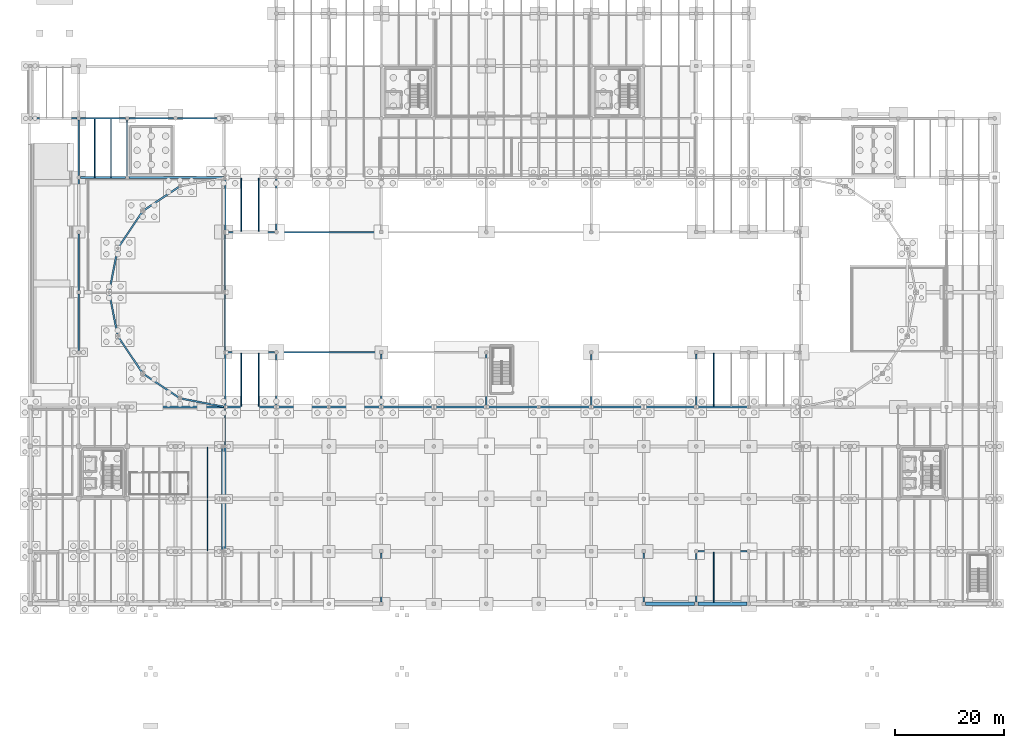
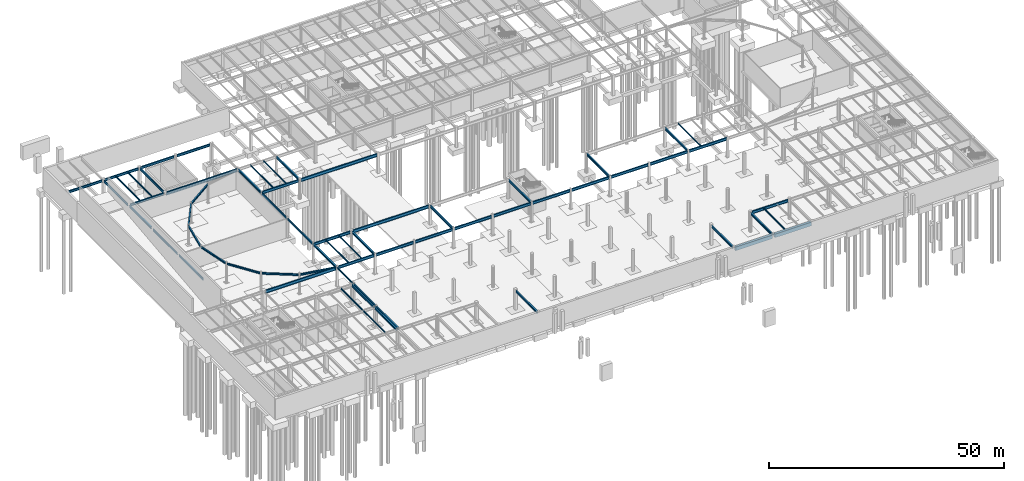
# One storey, part 32 of 50: 64 beams.
"""IFC4 building model written with IfcOpenShell, lengths in metres."""

from ifc_helpers import new_model, si_unit, direction, frame, origin, origin_2d, place, context, subcontext, project, spatial, rectangle, i_section, extrude, material, material_profile, profile_set, type_object, element, save


model = new_model("IFC4")

# Units and contexts
model_context = context("Model", 3, precision=1e-05, world=origin(), true_north=direction((0.0, 1.0)))
body_context = subcontext(model_context, "Body", "Model", "MODEL_VIEW")
ifc_project = project(units=[si_unit("LENGTHUNIT", "METRE"), si_unit("AREAUNIT", "SQUARE_METRE"), si_unit("VOLUMEUNIT", "CUBIC_METRE"), si_unit("PLANEANGLEUNIT", "RADIAN"), si_unit("MASSUNIT", "GRAM", prefix="KILO")], contexts=[model_context])

# Site, building, storey
site_placement = place(None, origin())
site = spatial("IfcSite", under=ifc_project, at=site_placement, CompositionType="ELEMENT")
building_placement = place(site_placement, origin())
building = spatial("IfcBuilding", under=site, at=building_placement, Name="Yeouljin Market Hall", CompositionType="ELEMENT")
storey_placement = place(building_placement, frame((0.0, 0.0, -5.39990234375)))
storey = spatial("IfcBuildingStorey", under=building, at=storey_placement, Name="B1", CompositionType="ELEMENT", Elevation=-5.39990234375)

# Beams
ifc_material_1 = material(Name="Steel SM355", Category="steel")
ifc_material_profile_1 = material_profile(ifc_material_1, i_section(OverallWidth=0.300048828125, OverallDepth=0.43994140625, WebThickness=0.010986328125, FlangeThickness=0.01806640625, FilletRadius=0.02001953125, at=origin_2d()), Name="H-440x300x11x18")
ifc_profile_set_1 = profile_set([ifc_material_profile_1], Name="Steel SM355")
beam_type_1 = type_object("IfcBeamType", Name="Beam_H-440x300x11x18", PredefinedType="BEAM", material=ifc_profile_set_1)
beam_1_placement = place(storey_placement, frame((35.419189453125, 36.042724609375, 4.8798828125), z_axis=(-0.981854876369, 0.189633862352, 0.0), x_axis=(-0.189633862352, -0.981854876369, 0.0)))
element("IfcBeam", 1, at=beam_1_placement, inside=storey, type_object=beam_type_1, Name="Apse ring beam L00 268", PredefinedType="BEAM", context=body_context, shape_type="SweptSolid", body=[
    extrude(i_section(OverallWidth=0.300048828125, OverallDepth=0.43994140625, WebThickness=0.010986328125, FlangeThickness=0.01806640625, FilletRadius=0.02001953125, at=origin_2d()), origin(), (0.0, 0.0, 1.0), 8.00146484375),
])
for number, where, z_axis, x_axis, name in (
    (2, (27.194580078125, 37.71142578125, 4.8798828125), (-0.831466218431, 0.555575312274, 0.0), (-0.555575312274, -0.831466218431, 0.0), "Apse ring beam L00 269"),
    (3, (20.43798828125, 42.31982421875, 4.8798828125), (-0.55559698595, 0.831451735943, 0.0), (-0.831451735943, -0.55559698595, 0.0), "Apse ring beam L00 270"),
):
    element("IfcBeam", number, at=place(storey_placement, frame(where, z_axis=z_axis, x_axis=x_axis)), inside=storey, type_object=beam_type_1, Name=name, PredefinedType="BEAM", context=body_context, shape_type="SweptSolid", body=[
        extrude(i_section(OverallWidth=0.300048828125, OverallDepth=0.43994140625, WebThickness=0.010986328125, FlangeThickness=0.01806640625, FilletRadius=0.02001953125, at=origin_2d()), origin(), (0.0, 0.0, 1.0), 7.787353515625),
    ])
for number, where, z_axis, x_axis, name in (
    (4, (15.958984375, 49.162841796875, 4.8798828125), (-0.195091123781, 0.980785120922, 0.0), (-0.980785120922, -0.195091123781, 0.0), "Apse ring beam L00 271"),
    (5, (14.439697265625, 57.19921875, 4.8798828125), (0.195091123781, 0.980785120922, 0.0), (-0.980785120922, 0.195091123781, 0.0), "Apse ring beam L00 272"),
):
    element("IfcBeam", number, at=place(storey_placement, frame(where, z_axis=z_axis, x_axis=x_axis)), inside=storey, type_object=beam_type_1, Name=name, PredefinedType="BEAM", context=body_context, shape_type="SweptSolid", body=[
        extrude(i_section(OverallWidth=0.300048828125, OverallDepth=0.43994140625, WebThickness=0.010986328125, FlangeThickness=0.01806640625, FilletRadius=0.02001953125, at=origin_2d()), origin(), (0.0, 0.0, 1.0), 7.78759765625),
    ])
for number, where, z_axis, x_axis, name in (
    (6, (16.111328125, 65.205322265625, 4.8798828125), (0.55559698595, 0.831451735943, 0.0), (-0.831451735943, 0.55559698595, 0.0), "Apse ring beam L00 273"),
    (7, (20.7197265625, 71.962158203125, 4.8798828125), (0.831466218431, 0.555575312274, 0.0), (-0.555575312274, 0.831466218431, 0.0), "Apse ring beam L00 274"),
):
    element("IfcBeam", number, at=place(storey_placement, frame(where, z_axis=z_axis, x_axis=x_axis)), inside=storey, type_object=beam_type_1, Name=name, PredefinedType="BEAM", context=body_context, shape_type="SweptSolid", body=[
        extrude(i_section(OverallWidth=0.300048828125, OverallDepth=0.43994140625, WebThickness=0.010986328125, FlangeThickness=0.01806640625, FilletRadius=0.02001953125, at=origin_2d()), origin(), (0.0, 0.0, 1.0), 7.787353515625),
    ])
ifc_material_2 = material(Name="Steel SM355", Category="steel")
ifc_material_profile_2 = material_profile(ifc_material_2, i_section(OverallWidth=0.199951171875, OverallDepth=0.449951171875, WebThickness=0.009033203125, FlangeThickness=0.013916015625, FilletRadius=0.01806640625, at=origin_2d()), Name="H-450x200x9x14")
ifc_profile_set_2 = profile_set([ifc_material_profile_2], Name="Steel SM355")
beam_type_2 = type_object("IfcBeamType", Name="Beam_H-450x200x9x14", PredefinedType="BEAM", material=ifc_profile_set_2)
beam_2_placement = place(storey_placement, frame((35.614990234375, 28.97509765625, 4.875), z_axis=(0.0, 1.0, 0.0), x_axis=(-1.0, 0.0, 0.0)))
element("IfcBeam", 8, at=beam_2_placement, inside=storey, type_object=beam_type_2, Name="Primary beam BM-L00-Y166", PredefinedType="BEAM", context=body_context, shape_type="SweptSolid", body=[
    extrude(i_section(OverallWidth=0.199951171875, OverallDepth=0.449951171875, WebThickness=0.009033203125, FlangeThickness=0.013916015625, FilletRadius=0.01806640625, at=origin_2d()), origin(), (0.0, 0.0, 1.0), 6.7998046875),
])
ifc_material_3 = material(Name="Steel SM355", Category="steel")
ifc_material_profile_3 = material_profile(ifc_material_3, i_section(OverallWidth=0.199951171875, OverallDepth=0.60009765625, WebThickness=0.010986328125, FlangeThickness=0.01708984375, FilletRadius=0.02197265625, at=origin_2d()), Name="H-600x200x11x17")
ifc_profile_set_3 = profile_set([ifc_material_profile_3], Name="Steel SM355")
beam_type_3 = type_object("IfcBeamType", Name="Beam_H-600x200x11x17", PredefinedType="BEAM", material=ifc_profile_set_3)
for number, where, z_axis, x_axis, name in (
    (9, (8.85009765625, 46.35009765625, 4.849853515625), (0.0, 1.0, 0.0), (-1.0, 0.0, 0.0), "Primary beam BM-L00-Y147"),
    (10, (8.85009765625, 57.300048828125, 4.849853515625), (0.0, 1.0, 0.0), (-1.0, 0.0, 0.0), "Primary beam BM-L00-Y148"),
):
    element("IfcBeam", number, at=place(storey_placement, frame(where, z_axis=z_axis, x_axis=x_axis)), inside=storey, type_object=beam_type_3, Name=name, PredefinedType="BEAM", context=body_context, shape_type="SweptSolid", body=[
        extrude(i_section(OverallWidth=0.199951171875, OverallDepth=0.60009765625, WebThickness=0.010986328125, FlangeThickness=0.01708984375, FilletRadius=0.02197265625, at=origin_2d()), origin(), (0.0, 0.0, 1.0), 10.349853515625),
    ])
beam_3_placement = place(storey_placement, frame((8.85009765625, 78.35009765625, 4.77978515625), z_axis=(0.0, 1.0, 0.0), x_axis=(-1.0, 0.0, 0.0)))
element("IfcBeam", 11, at=beam_3_placement, inside=storey, type_object=beam_type_3, Name="Primary beam BM-L00-Y150", PredefinedType="BEAM", context=body_context, shape_type="SweptSolid", body=[
    extrude(i_section(OverallWidth=0.199951171875, OverallDepth=0.60009765625, WebThickness=0.010986328125, FlangeThickness=0.01708984375, FilletRadius=0.02197265625, at=origin_2d()), origin(), (0.0, 0.0, 1.0), 10.14990234375),
])
beam_4_placement = place(storey_placement, frame((17.699951171875, 78.300048828125, 4.849853515625), z_axis=(0.0, 1.0, 0.0), x_axis=(-1.0, 0.0, 0.0)))
element("IfcBeam", 12, at=beam_4_placement, inside=storey, type_object=beam_type_3, Name="Primary beam BM-L00-Y156", PredefinedType="BEAM", context=body_context, shape_type="SweptSolid", body=[
    extrude(i_section(OverallWidth=0.199951171875, OverallDepth=0.60009765625, WebThickness=0.010986328125, FlangeThickness=0.01708984375, FilletRadius=0.02197265625, at=origin_2d()), origin(), (0.0, 0.0, 1.0), 10.199951171875),
])
for number, where, z_axis, x_axis, name in (
    (13, (35.590087890625, 46.175048828125, 4.7998046875), (0.0, 1.0, 0.0), (-1.0, 0.0, 0.0), "Primary beam BM-L00-Y168"),
    (14, (35.590087890625, 57.175048828125, 4.7998046875), (0.0, 1.0, 0.0), (-1.0, 0.0, 0.0), "Primary beam BM-L00-Y169"),
):
    element("IfcBeam", number, at=place(storey_placement, frame(where, z_axis=z_axis, x_axis=x_axis)), inside=storey, type_object=beam_type_3, Name=name, PredefinedType="BEAM", context=body_context, shape_type="SweptSolid", body=[
        extrude(i_section(OverallWidth=0.199951171875, OverallDepth=0.60009765625, WebThickness=0.010986328125, FlangeThickness=0.01708984375, FilletRadius=0.02197265625, at=origin_2d()), origin(), (0.0, 0.0, 1.0), 10.64990234375),
    ])
ifc_material_4 = material(Name="Steel SM355", Category="steel")
ifc_material_profile_4 = material_profile(ifc_material_4, i_section(OverallWidth=0.300048828125, OverallDepth=0.587890625, WebThickness=0.011962890625, FlangeThickness=0.02001953125, FilletRadius=0.02392578125, at=origin_2d()), Name="H-588x300x12x20")
ifc_profile_set_4 = profile_set([ifc_material_profile_4], Name="Steel SM355")
beam_type_4 = type_object("IfcBeamType", Name="Girder_H-588x300x12x20", PredefinedType="USERDEFINED", material=ifc_profile_set_4)
for number, where, z_axis, x_axis, name in (
    (15, (9.199951171875, 78.0, 4.85595703125), (1.0, 0.0, 0.0), (0.0, 1.0, 0.0), "Primary girder GRD-L00-X076"),
    (16, (0.35009765625, 88.800048828125, 4.785888671875), (1.0, 0.0, 0.0), (0.0, 1.0, 0.0), "Primary girder GRD-L00-X092"),
):
    element("IfcBeam", number, at=place(storey_placement, frame(where, z_axis=z_axis, x_axis=x_axis)), inside=storey, type_object=beam_type_4, Name=name, ObjectType="GIRDER", PredefinedType="USERDEFINED", context=body_context, shape_type="SweptSolid", body=[
        extrude(i_section(OverallWidth=0.300048828125, OverallDepth=0.587890625, WebThickness=0.011962890625, FlangeThickness=0.02001953125, FilletRadius=0.02392578125, at=origin_2d()), origin(), (0.0, 0.0, 1.0), 8.199951171875),
    ])
beam_5_placement = place(storey_placement, frame((9.14990234375, 88.800048828125, 4.785888671875), z_axis=(1.0, 0.0, 0.0), x_axis=(0.0, 1.0, 0.0)))
element("IfcBeam", 17, at=beam_5_placement, inside=storey, type_object=beam_type_4, Name="Primary girder GRD-L00-X093", ObjectType="GIRDER", PredefinedType="USERDEFINED", context=body_context, shape_type="SweptSolid", body=[
    extrude(i_section(OverallWidth=0.300048828125, OverallDepth=0.587890625, WebThickness=0.011962890625, FlangeThickness=0.02001953125, FilletRadius=0.02392578125, at=origin_2d()), origin(), (0.0, 0.0, 1.0), 8.25),
])
beam_6_placement = place(storey_placement, frame((18.0, 88.800048828125, 4.85595703125), z_axis=(1.0, 0.0, 0.0), x_axis=(0.0, 1.0, 0.0)))
element("IfcBeam", 18, at=beam_6_placement, inside=storey, type_object=beam_type_4, Name="Primary girder GRD-L00-X094", ObjectType="GIRDER", PredefinedType="USERDEFINED", context=body_context, shape_type="SweptSolid", body=[
    extrude(i_section(OverallWidth=0.300048828125, OverallDepth=0.587890625, WebThickness=0.011962890625, FlangeThickness=0.02001953125, FilletRadius=0.02392578125, at=origin_2d()), origin(), (0.0, 0.0, 1.0), 8.199951171875),
])
beam_7_placement = place(storey_placement, frame((26.89990234375, 88.800048828125, 4.85595703125), z_axis=(1.0, 0.0, 0.0), x_axis=(0.0, 1.0, 0.0)))
element("IfcBeam", 19, at=beam_7_placement, inside=storey, type_object=beam_type_4, Name="Primary girder GRD-L00-X095", ObjectType="GIRDER", PredefinedType="USERDEFINED", context=body_context, shape_type="SweptSolid", body=[
    extrude(i_section(OverallWidth=0.300048828125, OverallDepth=0.587890625, WebThickness=0.011962890625, FlangeThickness=0.02001953125, FilletRadius=0.02392578125, at=origin_2d()), origin(), (0.0, 0.0, 1.0), 8.05517578125),
])
beam_8_placement = place(storey_placement, frame((8.85009765625, 68.35009765625, 4.85595703125), z_axis=(0.0, 1.0, 0.0), x_axis=(-1.0, 0.0, 0.0)))
element("IfcBeam", 20, at=beam_8_placement, inside=storey, type_object=beam_type_4, Name="Primary beam BM-L00-Y149", ObjectType="GIRDER", PredefinedType="USERDEFINED", context=body_context, shape_type="SweptSolid", body=[
    extrude(i_section(OverallWidth=0.300048828125, OverallDepth=0.587890625, WebThickness=0.011962890625, FlangeThickness=0.02001953125, FilletRadius=0.02392578125, at=origin_2d()), origin(), (0.0, 0.0, 1.0), 9.2998046875),
])
for number, where, z_axis, x_axis, name in (
    (21, (35.1298828125, 9.77490234375, 4.85595703125), (0.0, 1.0, 0.0), (-1.0, 0.0, 0.0), "Primary beam BM-L00-Y161"),
    (22, (35.1298828125, 19.375, 4.85595703125), (0.0, 1.0, 0.0), (-1.0, 0.0, 0.0), "Primary beam BM-L00-Y162"),
    (23, (35.590087890625, 9.77490234375, 4.85595703125), (0.0, 1.0, 0.0), (-1.0, 0.0, 0.0), "Primary beam BM-L00-Y164"),
    (24, (35.590087890625, 19.375, 4.85595703125), (0.0, 1.0, 0.0), (-1.0, 0.0, 0.0), "Primary beam BM-L00-Y165"),
):
    element("IfcBeam", number, at=place(storey_placement, frame(where, z_axis=z_axis, x_axis=x_axis)), inside=storey, type_object=beam_type_4, Name=name, ObjectType="GIRDER", PredefinedType="USERDEFINED", context=body_context, shape_type="SweptSolid", body=[
        extrude(i_section(OverallWidth=0.300048828125, OverallDepth=0.587890625, WebThickness=0.011962890625, FlangeThickness=0.02001953125, FilletRadius=0.02392578125, at=origin_2d()), origin(), (0.0, 0.0, 1.0), 9.25),
    ])
for number, where, z_axis, x_axis, name in (
    (25, (35.614990234375, 36.22509765625, 4.805908203125), (0.0, 1.0, 0.0), (-1.0, 0.0, 0.0), "Primary beam BM-L00-Y167"),
    (26, (35.614990234375, 68.175048828125, 4.805908203125), (0.0, 1.0, 0.0), (-1.0, 0.0, 0.0), "Primary beam BM-L00-Y170"),
):
    element("IfcBeam", number, at=place(storey_placement, frame(where, z_axis=z_axis, x_axis=x_axis)), inside=storey, type_object=beam_type_4, Name=name, ObjectType="GIRDER", PredefinedType="USERDEFINED", context=body_context, shape_type="SweptSolid", body=[
        extrude(i_section(OverallWidth=0.300048828125, OverallDepth=0.587890625, WebThickness=0.011962890625, FlangeThickness=0.02001953125, FilletRadius=0.02392578125, at=origin_2d()), origin(), (0.0, 0.0, 1.0), 9.599853515625),
    ])
for number, where, z_axis, x_axis, name in (
    (27, (45.0, 36.22509765625, 4.825927734375), (0.0, 1.0, 0.0), (-1.0, 0.0, 0.0), "Primary beam BM-L00-Y173"),
    (28, (45.0, 68.35009765625, 4.81591796875), (0.0, 1.0, 0.0), (-1.0, 0.0, 0.0), "Primary beam BM-L00-Y174"),
):
    element("IfcBeam", number, at=place(storey_placement, frame(where, z_axis=z_axis, x_axis=x_axis)), inside=storey, type_object=beam_type_4, Name=name, ObjectType="GIRDER", PredefinedType="USERDEFINED", context=body_context, shape_type="SweptSolid", body=[
        extrude(i_section(OverallWidth=0.300048828125, OverallDepth=0.587890625, WebThickness=0.011962890625, FlangeThickness=0.02001953125, FilletRadius=0.02392578125, at=origin_2d()), origin(), (0.0, 0.0, 1.0), 9.4248046875),
    ])
beam_9_placement = place(storey_placement, frame((64.199951171875, 0.300048828125, 4.865966796875), z_axis=(0.0, 1.0, 0.0), x_axis=(-1.0, 0.0, 0.0)))
element("IfcBeam", 29, at=beam_9_placement, inside=storey, type_object=beam_type_4, Name="Primary beam BM-L00-Y184", ObjectType="GIRDER", PredefinedType="USERDEFINED", context=body_context, shape_type="SweptSolid", body=[
    extrude(i_section(OverallWidth=0.300048828125, OverallDepth=0.587890625, WebThickness=0.011962890625, FlangeThickness=0.02001953125, FilletRadius=0.02392578125, at=origin_2d()), origin(), (0.0, 0.0, 1.0), 9.0),
])
beam_10_placement = place(storey_placement, frame((64.199951171875, 36.22509765625, 4.825927734375), z_axis=(0.0, 1.0, 0.0), x_axis=(-1.0, 0.0, 0.0)))
element("IfcBeam", 30, at=beam_10_placement, inside=storey, type_object=beam_type_4, Name="Primary beam BM-L00-Y185", ObjectType="GIRDER", PredefinedType="USERDEFINED", context=body_context, shape_type="SweptSolid", body=[
    extrude(i_section(OverallWidth=0.300048828125, OverallDepth=0.587890625, WebThickness=0.011962890625, FlangeThickness=0.02001953125, FilletRadius=0.02392578125, at=origin_2d()), origin(), (0.0, 0.0, 1.0), 9.474853515625),
])
for number, where, z_axis, x_axis, name in (
    (31, (83.39990234375, 36.22509765625, 4.825927734375), (0.0, 1.0, 0.0), (-1.0, 0.0, 0.0), "Primary beam BM-L00-Y195"),
    (32, (102.60009765625, 36.22509765625, 4.825927734375), (0.0, 1.0, 0.0), (-1.0, 0.0, 0.0), "Primary beam BM-L00-Y205"),
):
    element("IfcBeam", number, at=place(storey_placement, frame(where, z_axis=z_axis, x_axis=x_axis)), inside=storey, type_object=beam_type_4, Name=name, ObjectType="GIRDER", PredefinedType="USERDEFINED", context=body_context, shape_type="SweptSolid", body=[
        extrude(i_section(OverallWidth=0.300048828125, OverallDepth=0.587890625, WebThickness=0.011962890625, FlangeThickness=0.02001953125, FilletRadius=0.02392578125, at=origin_2d()), origin(), (0.0, 0.0, 1.0), 9.4248046875),
    ])
beam_11_placement = place(storey_placement, frame((112.199951171875, 0.300048828125, 4.865966796875), z_axis=(0.0, 1.0, 0.0), x_axis=(-1.0, 0.0, 0.0)))
element("IfcBeam", 33, at=beam_11_placement, inside=storey, type_object=beam_type_4, Name="Primary beam BM-L00-Y211", ObjectType="GIRDER", PredefinedType="USERDEFINED", context=body_context, shape_type="SweptSolid", body=[
    extrude(i_section(OverallWidth=0.300048828125, OverallDepth=0.587890625, WebThickness=0.011962890625, FlangeThickness=0.02001953125, FilletRadius=0.02392578125, at=origin_2d()), origin(), (0.0, 0.0, 1.0), 9.0),
])
beam_12_placement = place(storey_placement, frame((121.800048828125, 0.300048828125, 4.865966796875), z_axis=(0.0, 1.0, 0.0), x_axis=(-1.0, 0.0, 0.0)))
element("IfcBeam", 34, at=beam_12_placement, inside=storey, type_object=beam_type_4, Name="Primary beam BM-L00-Y216", ObjectType="GIRDER", PredefinedType="USERDEFINED", context=body_context, shape_type="SweptSolid", body=[
    extrude(i_section(OverallWidth=0.300048828125, OverallDepth=0.587890625, WebThickness=0.011962890625, FlangeThickness=0.02001953125, FilletRadius=0.02392578125, at=origin_2d()), origin(), (0.0, 0.0, 1.0), 8.949951171875),
])
beam_13_placement = place(storey_placement, frame((121.800048828125, 36.22509765625, 4.825927734375), z_axis=(0.0, 1.0, 0.0), x_axis=(-1.0, 0.0, 0.0)))
element("IfcBeam", 35, at=beam_13_placement, inside=storey, type_object=beam_type_4, Name="Primary beam BM-L00-Y217", ObjectType="GIRDER", PredefinedType="USERDEFINED", context=body_context, shape_type="SweptSolid", body=[
    extrude(i_section(OverallWidth=0.300048828125, OverallDepth=0.587890625, WebThickness=0.011962890625, FlangeThickness=0.02001953125, FilletRadius=0.02392578125, at=origin_2d()), origin(), (0.0, 0.0, 1.0), 9.474853515625),
])
ifc_material_5 = material(Name="Steel SM355", Category="steel")
ifc_material_profile_5 = material_profile(ifc_material_5, i_section(OverallWidth=0.300048828125, OverallDepth=0.699951171875, WebThickness=0.012939453125, FlangeThickness=0.02392578125, FilletRadius=0.02587890625, at=origin_2d()), Name="H-700x300x13x24")
ifc_profile_set_5 = profile_set([ifc_material_profile_5], Name="Steel SM355")
beam_type_5 = type_object("IfcBeamType", Name="Girder_H-700x300x13x24", PredefinedType="USERDEFINED", material=ifc_profile_set_5)
beam_14_placement = place(storey_placement, frame((122.14990234375, 9.60009765625, 4.809814453125), z_axis=(1.0, 0.0, 0.0), x_axis=(0.0, 1.0, 0.0)))
element("IfcBeam", 36, at=beam_14_placement, inside=storey, type_object=beam_type_5, Name="Primary girder GRD-L00-X021", ObjectType="GIRDER", PredefinedType="USERDEFINED", context=body_context, shape_type="SweptSolid", body=[
    extrude(i_section(OverallWidth=0.300048828125, OverallDepth=0.699951171875, WebThickness=0.012939453125, FlangeThickness=0.02392578125, FilletRadius=0.02587890625, at=origin_2d()), origin(), (0.0, 0.0, 1.0), 8.900146484375),
])
beam_15_placement = place(storey_placement, frame((35.864990234375, 36.0, 4.77001953125), z_axis=(1.0, 0.0, 0.0), x_axis=(0.0, 1.0, 0.0)))
element("IfcBeam", 37, at=beam_15_placement, inside=storey, type_object=beam_type_5, Name="Primary girder GRD-L00-X046", ObjectType="GIRDER", PredefinedType="USERDEFINED", context=body_context, shape_type="SweptSolid", body=[
    extrude(i_section(OverallWidth=0.300048828125, OverallDepth=0.699951171875, WebThickness=0.012939453125, FlangeThickness=0.02392578125, FilletRadius=0.02587890625, at=origin_2d()), origin(), (0.0, 0.0, 1.0), 8.909912109375),
])
beam_16_placement = place(storey_placement, frame((45.22509765625, 36.0, 4.77001953125), z_axis=(1.0, 0.0, 0.0), x_axis=(0.0, 1.0, 0.0)))
element("IfcBeam", 38, at=beam_16_placement, inside=storey, type_object=beam_type_5, Name="Primary girder GRD-L00-X047", ObjectType="GIRDER", PredefinedType="USERDEFINED", context=body_context, shape_type="SweptSolid", body=[
    extrude(i_section(OverallWidth=0.300048828125, OverallDepth=0.699951171875, WebThickness=0.012939453125, FlangeThickness=0.02392578125, FilletRadius=0.02587890625, at=origin_2d()), origin(), (0.0, 0.0, 1.0), 9.14990234375),
])
beam_17_placement = place(storey_placement, frame((54.824951171875, 36.0, 4.77001953125), z_axis=(1.0, 0.0, 0.0), x_axis=(0.0, 1.0, 0.0)))
element("IfcBeam", 39, at=beam_17_placement, inside=storey, type_object=beam_type_5, Name="Primary girder GRD-L00-X048", ObjectType="GIRDER", PredefinedType="USERDEFINED", context=body_context, shape_type="SweptSolid", body=[
    extrude(i_section(OverallWidth=0.300048828125, OverallDepth=0.699951171875, WebThickness=0.012939453125, FlangeThickness=0.02392578125, FilletRadius=0.02587890625, at=origin_2d()), origin(), (0.0, 0.0, 1.0), 9.150146484375),
])
beam_18_placement = place(storey_placement, frame((64.425048828125, 36.0, 4.77001953125), z_axis=(1.0, 0.0, 0.0), x_axis=(0.0, 1.0, 0.0)))
element("IfcBeam", 40, at=beam_18_placement, inside=storey, type_object=beam_type_5, Name="Primary girder GRD-L00-X049", ObjectType="GIRDER", PredefinedType="USERDEFINED", context=body_context, shape_type="SweptSolid", body=[
    extrude(i_section(OverallWidth=0.300048828125, OverallDepth=0.699951171875, WebThickness=0.012939453125, FlangeThickness=0.02392578125, FilletRadius=0.02587890625, at=origin_2d()), origin(), (0.0, 0.0, 1.0), 9.14990234375),
])
beam_19_placement = place(storey_placement, frame((74.02490234375, 36.0, 4.77001953125), z_axis=(1.0, 0.0, 0.0), x_axis=(0.0, 1.0, 0.0)))
element("IfcBeam", 41, at=beam_19_placement, inside=storey, type_object=beam_type_5, Name="Primary girder GRD-L00-X050", ObjectType="GIRDER", PredefinedType="USERDEFINED", context=body_context, shape_type="SweptSolid", body=[
    extrude(i_section(OverallWidth=0.300048828125, OverallDepth=0.699951171875, WebThickness=0.012939453125, FlangeThickness=0.02392578125, FilletRadius=0.02587890625, at=origin_2d()), origin(), (0.0, 0.0, 1.0), 9.150146484375),
])
for number, where, z_axis, x_axis, name in (
    (42, (83.625, 36.0, 4.77001953125), (1.0, 0.0, 0.0), (0.0, 1.0, 0.0), "Primary girder GRD-L00-X051"),
    (43, (93.22509765625, 36.0, 4.77001953125), (1.0, 0.0, 0.0), (0.0, 1.0, 0.0), "Primary girder GRD-L00-X052"),
):
    element("IfcBeam", number, at=place(storey_placement, frame(where, z_axis=z_axis, x_axis=x_axis)), inside=storey, type_object=beam_type_5, Name=name, ObjectType="GIRDER", PredefinedType="USERDEFINED", context=body_context, shape_type="SweptSolid", body=[
        extrude(i_section(OverallWidth=0.300048828125, OverallDepth=0.699951171875, WebThickness=0.012939453125, FlangeThickness=0.02392578125, FilletRadius=0.02587890625, at=origin_2d()), origin(), (0.0, 0.0, 1.0), 9.14990234375),
    ])
beam_20_placement = place(storey_placement, frame((102.824951171875, 36.0, 4.77001953125), z_axis=(1.0, 0.0, 0.0), x_axis=(0.0, 1.0, 0.0)))
element("IfcBeam", 44, at=beam_20_placement, inside=storey, type_object=beam_type_5, Name="Primary girder GRD-L00-X053", ObjectType="GIRDER", PredefinedType="USERDEFINED", context=body_context, shape_type="SweptSolid", body=[
    extrude(i_section(OverallWidth=0.300048828125, OverallDepth=0.699951171875, WebThickness=0.012939453125, FlangeThickness=0.02392578125, FilletRadius=0.02587890625, at=origin_2d()), origin(), (0.0, 0.0, 1.0), 9.150146484375),
])
beam_21_placement = place(storey_placement, frame((112.425048828125, 36.0, 4.77001953125), z_axis=(1.0, 0.0, 0.0), x_axis=(0.0, 1.0, 0.0)))
element("IfcBeam", 45, at=beam_21_placement, inside=storey, type_object=beam_type_5, Name="Primary girder GRD-L00-X054", ObjectType="GIRDER", PredefinedType="USERDEFINED", context=body_context, shape_type="SweptSolid", body=[
    extrude(i_section(OverallWidth=0.300048828125, OverallDepth=0.699951171875, WebThickness=0.012939453125, FlangeThickness=0.02392578125, FilletRadius=0.02587890625, at=origin_2d()), origin(), (0.0, 0.0, 1.0), 9.14990234375),
])
beam_22_placement = place(storey_placement, frame((122.02490234375, 36.0, 4.77001953125), z_axis=(1.0, 0.0, 0.0), x_axis=(0.0, 1.0, 0.0)))
element("IfcBeam", 46, at=beam_22_placement, inside=storey, type_object=beam_type_5, Name="Primary girder GRD-L00-X055", ObjectType="GIRDER", PredefinedType="USERDEFINED", context=body_context, shape_type="SweptSolid", body=[
    extrude(i_section(OverallWidth=0.300048828125, OverallDepth=0.699951171875, WebThickness=0.012939453125, FlangeThickness=0.02392578125, FilletRadius=0.02587890625, at=origin_2d()), origin(), (0.0, 0.0, 1.0), 9.150146484375),
])
for number, where, z_axis, x_axis, name in (
    (47, (35.764892578125, 46.0, 4.77001953125), (1.0, 0.0, 0.0), (0.0, 1.0, 0.0), "Primary girder GRD-L00-X060"),
    (48, (35.764892578125, 68.0, 4.77001953125), (1.0, 0.0, 0.0), (0.0, 1.0, 0.0), "Primary girder GRD-L00-X068"),
):
    element("IfcBeam", number, at=place(storey_placement, frame(where, z_axis=z_axis, x_axis=x_axis)), inside=storey, type_object=beam_type_5, Name=name, ObjectType="GIRDER", PredefinedType="USERDEFINED", context=body_context, shape_type="SweptSolid", body=[
        extrude(i_section(OverallWidth=0.300048828125, OverallDepth=0.699951171875, WebThickness=0.012939453125, FlangeThickness=0.02392578125, FilletRadius=0.02587890625, at=origin_2d()), origin(), (0.0, 0.0, 1.0), 8.885009765625),
    ])
ifc_material_6 = material(Name="Steel SM355", Category="steel")
ifc_material_profile_6 = material_profile(ifc_material_6, i_section(OverallWidth=0.300048828125, OverallDepth=0.800048828125, WebThickness=0.013916015625, FlangeThickness=0.02587890625, FilletRadius=0.028076171875, at=origin_2d()), Name="H-800x300x14x26")
ifc_profile_set_6 = profile_set([ifc_material_profile_6], Name="Steel SM355")
beam_type_6 = type_object("IfcBeamType", Name="Girder_H-800x300x14x26", PredefinedType="USERDEFINED", material=ifc_profile_set_6)
beam_23_placement = place(storey_placement, frame((18.10009765625, 36.0, 4.699951171875), z_axis=(1.0, 0.0, 0.0), x_axis=(0.0, 1.0, 0.0)))
element("IfcBeam", 49, at=beam_23_placement, inside=storey, type_object=beam_type_6, Name="Primary girder GRD-L00-X045", ObjectType="GIRDER", PredefinedType="USERDEFINED", context=body_context, shape_type="SweptSolid", body=[
    extrude(i_section(OverallWidth=0.300048828125, OverallDepth=0.800048828125, WebThickness=0.013916015625, FlangeThickness=0.02587890625, FilletRadius=0.028076171875, at=origin_2d()), origin(), (0.0, 0.0, 1.0), 17.31494140625),
])
for number, where, z_axis, x_axis, name in (
    (50, (45.35009765625, 46.0, 4.719970703125), (1.0, 0.0, 0.0), (0.0, 1.0, 0.0), "Primary girder GRD-L00-X061"),
    (51, (45.35009765625, 68.0, 4.7099609375), (1.0, 0.0, 0.0), (0.0, 1.0, 0.0), "Primary girder GRD-L00-X069"),
):
    element("IfcBeam", number, at=place(storey_placement, frame(where, z_axis=z_axis, x_axis=x_axis)), inside=storey, type_object=beam_type_6, Name=name, ObjectType="GIRDER", PredefinedType="USERDEFINED", context=body_context, shape_type="SweptSolid", body=[
        extrude(i_section(OverallWidth=0.300048828125, OverallDepth=0.800048828125, WebThickness=0.013916015625, FlangeThickness=0.02587890625, FilletRadius=0.028076171875, at=origin_2d()), origin(), (0.0, 0.0, 1.0), 18.5498046875),
    ])
beam_24_placement = place(storey_placement, frame((18.0, 78.0, 4.699951171875), z_axis=(1.0, 0.0, 0.0), x_axis=(0.0, 1.0, 0.0)))
element("IfcBeam", 52, at=beam_24_placement, inside=storey, type_object=beam_type_6, Name="Primary girder GRD-L00-X077", ObjectType="GIRDER", PredefinedType="USERDEFINED", context=body_context, shape_type="SweptSolid", body=[
    extrude(i_section(OverallWidth=0.300048828125, OverallDepth=0.800048828125, WebThickness=0.013916015625, FlangeThickness=0.02587890625, FilletRadius=0.028076171875, at=origin_2d()), origin(), (0.0, 0.0, 1.0), 17.4150390625),
])
ifc_material_7 = material(Name="Concrete C35/45", Category="concrete")
ifc_material_profile_7 = material_profile(ifc_material_7, rectangle(XDim=0.60009765625, YDim=0.89990234375, at=origin_2d()), Name="RC-600x900")
ifc_profile_set_7 = profile_set([ifc_material_profile_7], Name="Concrete C35/45")
beam_type_7 = type_object("IfcBeamType", Name="Girder_RC-600x900", PredefinedType="USERDEFINED", material=ifc_profile_set_7)
beam_25_placement = place(storey_placement, frame((112.5, 0.0, 4.7099609375), z_axis=(1.0, 0.0, 0.0), x_axis=(0.0, 1.0, 0.0)))
element("IfcBeam", 53, at=beam_25_placement, inside=storey, type_object=beam_type_7, Name="Primary girder GRD-L00-X008", ObjectType="GIRDER", PredefinedType="USERDEFINED", context=body_context, shape_type="SweptSolid", body=[
    extrude(rectangle(XDim=0.60009765625, YDim=0.89990234375, at=origin_2d()), origin(), (0.0, 0.0, 1.0), 9.0),
])
beam_26_placement = place(storey_placement, frame((122.10009765625, 0.0, 4.7099609375), z_axis=(1.0, 0.0, 0.0), x_axis=(0.0, 1.0, 0.0)))
element("IfcBeam", 54, at=beam_26_placement, inside=storey, type_object=beam_type_7, Name="Primary girder GRD-L00-X009", ObjectType="GIRDER", PredefinedType="USERDEFINED", context=body_context, shape_type="SweptSolid", body=[
    extrude(rectangle(XDim=0.60009765625, YDim=0.89990234375, at=origin_2d()), origin(), (0.0, 0.0, 1.0), 8.949951171875),
])
ifc_material_8 = material(Name="Steel SM355", Category="steel")
ifc_material_profile_8 = material_profile(ifc_material_8, i_section(OverallWidth=0.175048828125, OverallDepth=0.35009765625, WebThickness=0.007080078125, FlangeThickness=0.010986328125, FilletRadius=0.013916015625, at=origin_2d()), Name="H-350x175x7x11")
ifc_profile_set_8 = profile_set([ifc_material_profile_8], Name="Steel SM355")
beam_type_8 = type_object("IfcBeamType", Name="Joist_H-350x175x7x11", PredefinedType="JOIST", material=ifc_profile_set_8)
for number, where, z_axis, x_axis, name in (
    (55, (11.800048828125, 78.006103515625, 4.90478515625), (0.0, 1.0, 0.0), (-1.0, 0.0, 0.0), "Secondary floor joist L00-017"),
    (56, (14.75, 78.006103515625, 4.90478515625), (0.0, 1.0, 0.0), (-1.0, 0.0, 0.0), "Secondary floor joist L00-018"),
):
    element("IfcBeam", number, at=place(storey_placement, frame(where, z_axis=z_axis, x_axis=x_axis)), inside=storey, type_object=beam_type_8, Name=name, PredefinedType="JOIST", context=body_context, shape_type="SweptSolid", body=[
        extrude(i_section(OverallWidth=0.175048828125, OverallDepth=0.35009765625, WebThickness=0.007080078125, FlangeThickness=0.010986328125, FilletRadius=0.013916015625, at=origin_2d()), origin(), (0.0, 0.0, 1.0), 10.64697265625),
    ])
beam_27_placement = place(storey_placement, frame((32.396728515625, 9.7470703125, 4.974853515625), z_axis=(0.0, 1.0, 0.0), x_axis=(-1.0, 0.0, 0.0)))
element("IfcBeam", 57, at=beam_27_placement, inside=storey, type_object=beam_type_8, Name="Secondary floor joist L00-028", PredefinedType="JOIST", context=body_context, shape_type="SweptSolid", body=[
    extrude(i_section(OverallWidth=0.175048828125, OverallDepth=0.35009765625, WebThickness=0.007080078125, FlangeThickness=0.010986328125, FilletRadius=0.013916015625, at=origin_2d()), origin(), (0.0, 0.0, 1.0), 9.305908203125),
])
beam_28_placement = place(storey_placement, frame((32.396728515625, 19.346923828125, 4.974853515625), z_axis=(0.0, 1.0, 0.0), x_axis=(-1.0, 0.0, 0.0)))
element("IfcBeam", 58, at=beam_28_placement, inside=storey, type_object=beam_type_8, Name="Secondary floor joist L00-030", PredefinedType="JOIST", context=body_context, shape_type="SweptSolid", body=[
    extrude(i_section(OverallWidth=0.175048828125, OverallDepth=0.35009765625, WebThickness=0.007080078125, FlangeThickness=0.010986328125, FilletRadius=0.013916015625, at=origin_2d()), origin(), (0.0, 0.0, 1.0), 9.30615234375),
])
for number, where, z_axis, x_axis, name in (
    (59, (38.60009765625, 36.14697265625, 4.94482421875), (0.0, 1.0, 0.0), (-1.0, 0.0, 0.0), "Secondary floor joist L00-033"),
    (60, (41.800048828125, 36.14697265625, 4.94482421875), (0.0, 1.0, 0.0), (-1.0, 0.0, 0.0), "Secondary floor joist L00-034"),
    (61, (38.60009765625, 68.14697265625, 4.94482421875), (0.0, 1.0, 0.0), (-1.0, 0.0, 0.0), "Secondary floor joist L00-035"),
    (62, (41.800048828125, 68.14697265625, 4.94482421875), (0.0, 1.0, 0.0), (-1.0, 0.0, 0.0), "Secondary floor joist L00-036"),
):
    element("IfcBeam", number, at=place(storey_placement, frame(where, z_axis=z_axis, x_axis=x_axis)), inside=storey, type_object=beam_type_8, Name=name, PredefinedType="JOIST", context=body_context, shape_type="SweptSolid", body=[
        extrude(i_section(OverallWidth=0.175048828125, OverallDepth=0.35009765625, WebThickness=0.007080078125, FlangeThickness=0.010986328125, FilletRadius=0.013916015625, at=origin_2d()), origin(), (0.0, 0.0, 1.0), 9.7060546875),
    ])
beam_29_placement = place(storey_placement, frame((125.0, 0.297119140625, 4.98486328125), z_axis=(0.0, 1.0, 0.0), x_axis=(-1.0, 0.0, 0.0)))
element("IfcBeam", 63, at=beam_29_placement, inside=storey, type_object=beam_type_8, Name="Secondary floor joist L00-099", PredefinedType="JOIST", context=body_context, shape_type="SweptSolid", body=[
    extrude(i_section(OverallWidth=0.175048828125, OverallDepth=0.35009765625, WebThickness=0.007080078125, FlangeThickness=0.010986328125, FilletRadius=0.013916015625, at=origin_2d()), origin(), (0.0, 0.0, 1.0), 9.15576171875),
])
beam_30_placement = place(storey_placement, frame((125.0, 36.14697265625, 4.94482421875), z_axis=(0.0, 1.0, 0.0), x_axis=(-1.0, 0.0, 0.0)))
element("IfcBeam", 64, at=beam_30_placement, inside=storey, type_object=beam_type_8, Name="Secondary floor joist L00-101", PredefinedType="JOIST", context=body_context, shape_type="SweptSolid", body=[
    extrude(i_section(OverallWidth=0.175048828125, OverallDepth=0.35009765625, WebThickness=0.007080078125, FlangeThickness=0.010986328125, FilletRadius=0.013916015625, at=origin_2d()), origin(), (0.0, 0.0, 1.0), 9.7060546875),
])

save(model, "model.ifc")
